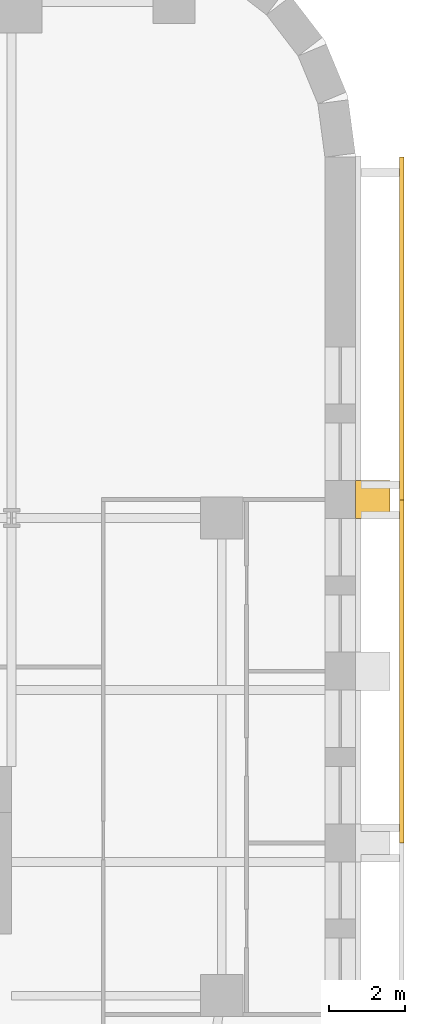
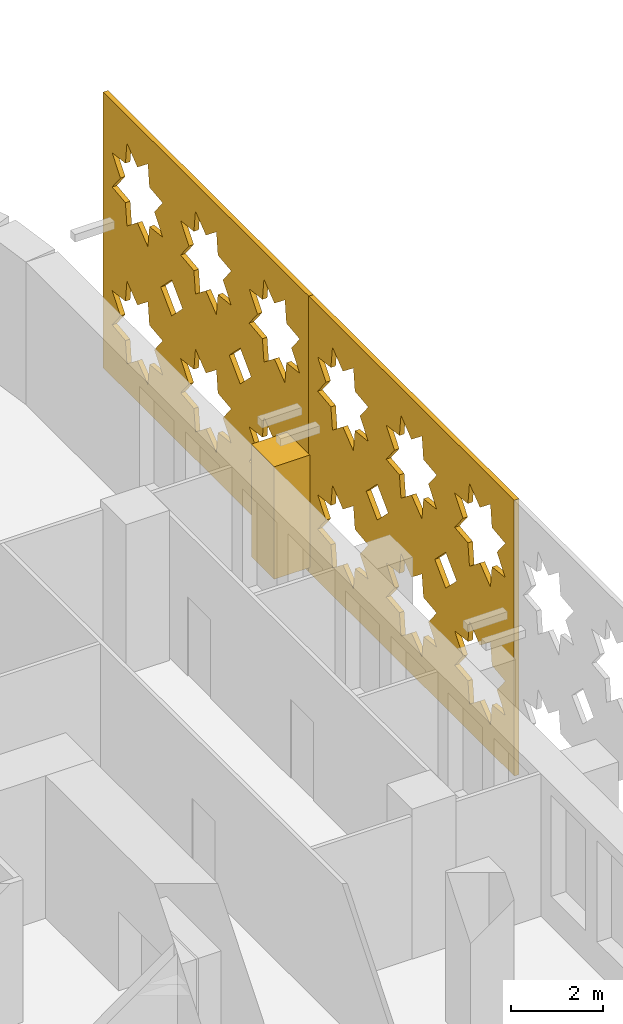
# One storey, part 13 of 13: 3 coverings.
"""IFC4 building model written with IfcOpenShell, lengths in metres."""

from ifc_helpers import new_model, si_unit, direction, frame, origin, place, context, subcontext, project, spatial, polyline, outline, extrude, material, layer, layer_set, type_object, element, save


model = new_model("IFC4")

# Units and contexts
model_context = context("Model", 3, precision=1e-05, world=origin(), true_north=direction((0.0, 1.0)))
body_context = subcontext(model_context, "Body", "Model", "MODEL_VIEW")
ifc_project = project(units=[si_unit("LENGTHUNIT", "METRE"), si_unit("AREAUNIT", "SQUARE_METRE"), si_unit("VOLUMEUNIT", "CUBIC_METRE"), si_unit("PLANEANGLEUNIT", "RADIAN"), si_unit("MASSUNIT", "GRAM", prefix="KILO")], contexts=[model_context])

# Site, building, storey
site_placement = place(None, origin())
site = spatial("IfcSite", under=ifc_project, at=site_placement, CompositionType="ELEMENT")
building_placement = place(site_placement, origin())
building = spatial("IfcBuilding", under=site, at=building_placement, Name="Zellij Exchange Tower", CompositionType="ELEMENT")
storey_placement = place(building_placement, frame((0.0, 0.0, 60.5)))
storey = spatial("IfcBuildingStorey", under=building, at=storey_placement, Name="L11", CompositionType="ELEMENT", Elevation=60.5)

# Coverings
ifc_material_1 = material(Name="Limestone cladding", Category="masonry")
covering_type_1 = type_object("IfcCoveringType", Name="ENV-CV2 Stone pier 1000x900", PredefinedType="CLADDING", material=ifc_material_1)
covering_1_placement = place(storey_placement, frame((0.0, 0.0, 0.800048828125)))
element("IfcCovering", 1, at=covering_1_placement, inside=storey, type_object=covering_type_1, Name="Stone pier", PredefinedType="CLADDING", context=body_context, shape_type="SweptSolid", body=[
    extrude(outline(polyline([(36.0, 4.48681640625), (36.0, 5.48681640625), (36.89990234375, 5.48681640625), (36.89990234375, 4.48681640625), (36.0, 4.48681640625)])), origin(), (0.0, 0.0, 1.0), 3.0),
])
ifc_material_2 = material(Name="Limestone screen", Category="masonry")
ifc_layer = layer(ifc_material_2, 0.1201171875)
ifc_layer_set = layer_set([ifc_layer], Name="Limestone screen")
covering_type_2 = type_object("IfcCoveringType", Name="ENV-SC1 Pierced stone screen 120", PredefinedType="USERDEFINED", material=ifc_layer_set)
covering_2_placement = place(storey_placement, frame((37.2099609375, -4.0, 0.300048828125), z_axis=(0.0, 0.0, 1.0), x_axis=(0.0, 1.0, 0.0)))
element("IfcCovering", 2, at=covering_2_placement, inside=storey, type_object=covering_type_2, Name="Pierced stone screen", ObjectType="SCREEN", PredefinedType="USERDEFINED", context=body_context, shape_type="SweptSolid", body=[
    extrude(outline(polyline([(0.0, 0.0), (8.973876953125, 0.0), (8.973876953125, 7.35009765625), (0.0, 7.35009765625), (0.0, 0.0)]), holes=[polyline([(2.60107421875, 2.29541015625), (2.020263671875, 2.362060546875), (1.95361328125, 2.94287109375), (1.49560546875, 2.579345703125), (1.03759765625, 2.94287109375), (0.97119140625, 2.362060546875), (0.39013671875, 2.29541015625), (0.75390625, 1.83740234375), (0.39013671875, 1.379638671875), (0.97119140625, 1.31298828125), (1.03759765625, 0.732177734375), (1.49560546875, 1.095703125), (1.95361328125, 0.732177734375), (2.020263671875, 1.31298828125), (2.60107421875, 1.379638671875), (2.237548828125, 1.83740234375), (2.60107421875, 2.29541015625)]), polyline([(2.60107421875, 5.970458984375), (2.020263671875, 6.037109375), (1.95361328125, 6.617919921875), (1.49560546875, 6.25439453125), (1.03759765625, 6.617919921875), (0.97119140625, 6.037109375), (0.39013671875, 5.970458984375), (0.75390625, 5.512451171875), (0.39013671875, 5.0546875), (0.97119140625, 4.98779296875), (1.03759765625, 4.406982421875), (1.49560546875, 4.770751953125), (1.95361328125, 4.406982421875), (2.020263671875, 4.98779296875), (2.60107421875, 5.0546875), (2.237548828125, 5.512451171875), (2.60107421875, 5.970458984375)]), polyline([(5.59228515625, 2.29541015625), (5.011474609375, 2.362060546875), (4.94482421875, 2.94287109375), (4.48681640625, 2.579345703125), (4.029052734375, 2.94287109375), (3.96240234375, 2.362060546875), (3.381591796875, 2.29541015625), (3.7451171875, 1.83740234375), (3.381591796875, 1.379638671875), (3.96240234375, 1.31298828125), (4.029052734375, 0.732177734375), (4.48681640625, 1.095703125), (4.94482421875, 0.732177734375), (5.011474609375, 1.31298828125), (5.59228515625, 1.379638671875), (5.228759765625, 1.83740234375), (5.59228515625, 2.29541015625)]), polyline([(5.59228515625, 5.970458984375), (5.011474609375, 6.037109375), (4.94482421875, 6.617919921875), (4.48681640625, 6.25439453125), (4.029052734375, 6.617919921875), (3.96240234375, 6.037109375), (3.381591796875, 5.970458984375), (3.7451171875, 5.512451171875), (3.381591796875, 5.0546875), (3.96240234375, 4.98779296875), (4.029052734375, 4.406982421875), (4.48681640625, 4.770751953125), (4.94482421875, 4.406982421875), (5.011474609375, 4.98779296875), (5.59228515625, 5.0546875), (5.228759765625, 5.512451171875), (5.59228515625, 5.970458984375)]), polyline([(8.58349609375, 2.29541015625), (8.002685546875, 2.362060546875), (7.93603515625, 2.94287109375), (7.478271484375, 2.579345703125), (7.020263671875, 2.94287109375), (6.95361328125, 2.362060546875), (6.372802734375, 2.29541015625), (6.736328125, 1.83740234375), (6.372802734375, 1.379638671875), (6.95361328125, 1.31298828125), (7.020263671875, 0.732177734375), (7.478271484375, 1.095703125), (7.93603515625, 0.732177734375), (8.002685546875, 1.31298828125), (8.58349609375, 1.379638671875), (8.219970703125, 1.83740234375), (8.58349609375, 2.29541015625)]), polyline([(8.58349609375, 5.970458984375), (8.002685546875, 6.037109375), (7.93603515625, 6.617919921875), (7.478271484375, 6.25439453125), (7.020263671875, 6.617919921875), (6.95361328125, 6.037109375), (6.372802734375, 5.970458984375), (6.736328125, 5.512451171875), (6.372802734375, 5.0546875), (6.95361328125, 4.98779296875), (7.020263671875, 4.406982421875), (7.478271484375, 4.770751953125), (7.93603515625, 4.406982421875), (8.002685546875, 4.98779296875), (8.58349609375, 5.0546875), (8.219970703125, 5.512451171875), (8.58349609375, 5.970458984375)]), polyline([(3.469970703125, 3.675048828125), (2.9912109375, 4.153564453125), (2.5126953125, 3.675048828125), (2.9912109375, 3.1962890625), (3.469970703125, 3.675048828125)]), polyline([(6.461181640625, 3.675048828125), (5.982421875, 4.153564453125), (5.50390625, 3.675048828125), (5.982421875, 3.1962890625), (6.461181640625, 3.675048828125)])]), frame((0.0, 0.06005859375, 0.0), z_axis=(0.0, -1.0, 0.0), x_axis=(1.0, 0.0, 0.0)), (0.0, 0.0, 1.0), 0.1201171875),
])
covering_3_placement = place(storey_placement, frame((37.2099609375, 4.973876953125, 0.300048828125), z_axis=(0.0, 0.0, 1.0), x_axis=(0.0, 1.0, 0.0)))
element("IfcCovering", 3, at=covering_3_placement, inside=storey, type_object=covering_type_2, Name="Pierced stone screen", ObjectType="SCREEN", PredefinedType="USERDEFINED", context=body_context, shape_type="SweptSolid", body=[
    extrude(outline(polyline([(0.0, 0.0), (8.973876953125, 0.0), (8.973876953125, 7.35009765625), (0.0, 7.35009765625), (0.0, 0.0)]), holes=[polyline([(2.60107421875, 2.29541015625), (2.020263671875, 2.362060546875), (1.95361328125, 2.94287109375), (1.49560546875, 2.579345703125), (1.03759765625, 2.94287109375), (0.97119140625, 2.362060546875), (0.39013671875, 2.29541015625), (0.75390625, 1.83740234375), (0.39013671875, 1.379638671875), (0.97119140625, 1.31298828125), (1.03759765625, 0.732177734375), (1.49560546875, 1.095703125), (1.95361328125, 0.732177734375), (2.020263671875, 1.31298828125), (2.60107421875, 1.379638671875), (2.237548828125, 1.83740234375), (2.60107421875, 2.29541015625)]), polyline([(2.60107421875, 5.970458984375), (2.020263671875, 6.037109375), (1.95361328125, 6.617919921875), (1.49560546875, 6.25439453125), (1.03759765625, 6.617919921875), (0.97119140625, 6.037109375), (0.39013671875, 5.970458984375), (0.75390625, 5.512451171875), (0.39013671875, 5.0546875), (0.97119140625, 4.98779296875), (1.03759765625, 4.406982421875), (1.49560546875, 4.770751953125), (1.95361328125, 4.406982421875), (2.020263671875, 4.98779296875), (2.60107421875, 5.0546875), (2.237548828125, 5.512451171875), (2.60107421875, 5.970458984375)]), polyline([(5.59228515625, 2.29541015625), (5.011474609375, 2.362060546875), (4.94482421875, 2.94287109375), (4.48681640625, 2.579345703125), (4.029052734375, 2.94287109375), (3.96240234375, 2.362060546875), (3.381591796875, 2.29541015625), (3.7451171875, 1.83740234375), (3.381591796875, 1.379638671875), (3.96240234375, 1.31298828125), (4.029052734375, 0.732177734375), (4.48681640625, 1.095703125), (4.94482421875, 0.732177734375), (5.011474609375, 1.31298828125), (5.59228515625, 1.379638671875), (5.228759765625, 1.83740234375), (5.59228515625, 2.29541015625)]), polyline([(5.59228515625, 5.970458984375), (5.011474609375, 6.037109375), (4.94482421875, 6.617919921875), (4.48681640625, 6.25439453125), (4.029052734375, 6.617919921875), (3.96240234375, 6.037109375), (3.381591796875, 5.970458984375), (3.7451171875, 5.512451171875), (3.381591796875, 5.0546875), (3.96240234375, 4.98779296875), (4.029052734375, 4.406982421875), (4.48681640625, 4.770751953125), (4.94482421875, 4.406982421875), (5.011474609375, 4.98779296875), (5.59228515625, 5.0546875), (5.228759765625, 5.512451171875), (5.59228515625, 5.970458984375)]), polyline([(8.58349609375, 2.29541015625), (8.002685546875, 2.362060546875), (7.93603515625, 2.94287109375), (7.478271484375, 2.579345703125), (7.020263671875, 2.94287109375), (6.95361328125, 2.362060546875), (6.372802734375, 2.29541015625), (6.736328125, 1.83740234375), (6.372802734375, 1.379638671875), (6.95361328125, 1.31298828125), (7.020263671875, 0.732177734375), (7.478271484375, 1.095703125), (7.93603515625, 0.732177734375), (8.002685546875, 1.31298828125), (8.58349609375, 1.379638671875), (8.219970703125, 1.83740234375), (8.58349609375, 2.29541015625)]), polyline([(8.58349609375, 5.970458984375), (8.002685546875, 6.037109375), (7.93603515625, 6.617919921875), (7.478271484375, 6.25439453125), (7.020263671875, 6.617919921875), (6.95361328125, 6.037109375), (6.372802734375, 5.970458984375), (6.736328125, 5.512451171875), (6.372802734375, 5.0546875), (6.95361328125, 4.98779296875), (7.020263671875, 4.406982421875), (7.478271484375, 4.770751953125), (7.93603515625, 4.406982421875), (8.002685546875, 4.98779296875), (8.58349609375, 5.0546875), (8.219970703125, 5.512451171875), (8.58349609375, 5.970458984375)]), polyline([(3.469970703125, 3.675048828125), (2.9912109375, 4.153564453125), (2.5126953125, 3.675048828125), (2.9912109375, 3.1962890625), (3.469970703125, 3.675048828125)]), polyline([(6.461181640625, 3.675048828125), (5.982421875, 4.153564453125), (5.50390625, 3.675048828125), (5.982421875, 3.1962890625), (6.461181640625, 3.675048828125)])]), frame((0.0, 0.06005859375, 0.0), z_axis=(0.0, -1.0, 0.0), x_axis=(1.0, 0.0, 0.0)), (0.0, 0.0, 1.0), 0.1201171875),
])

save(model, "model.ifc")
